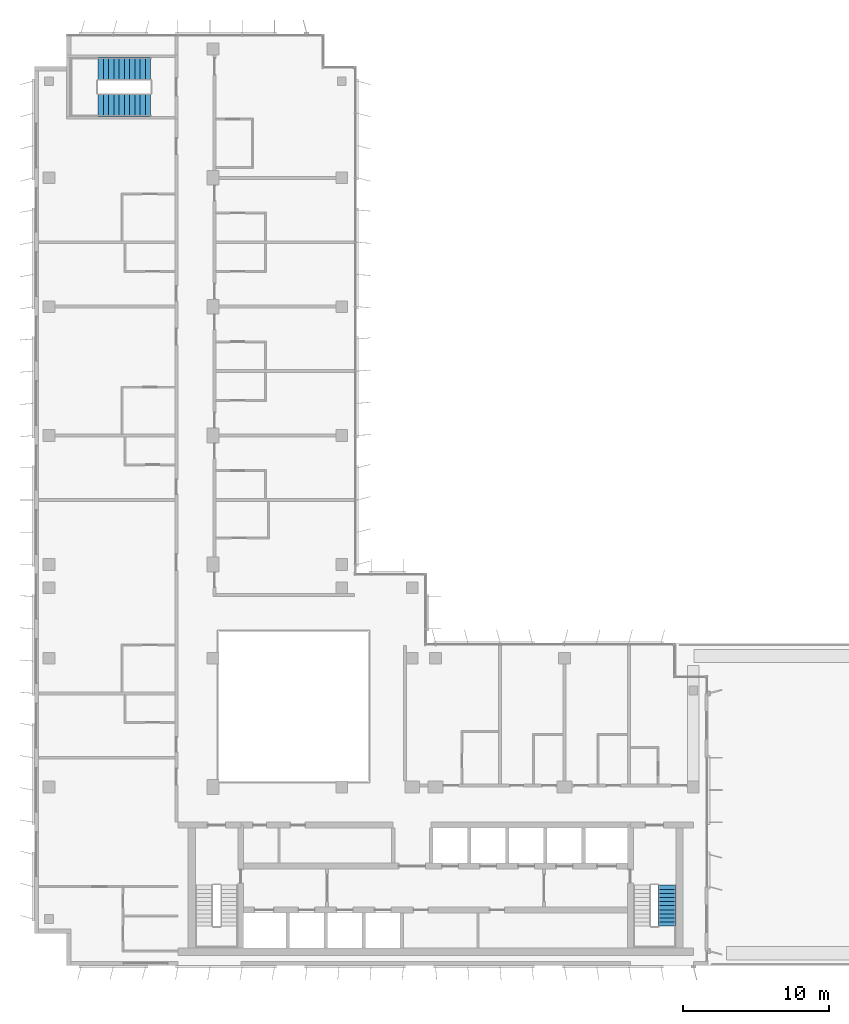
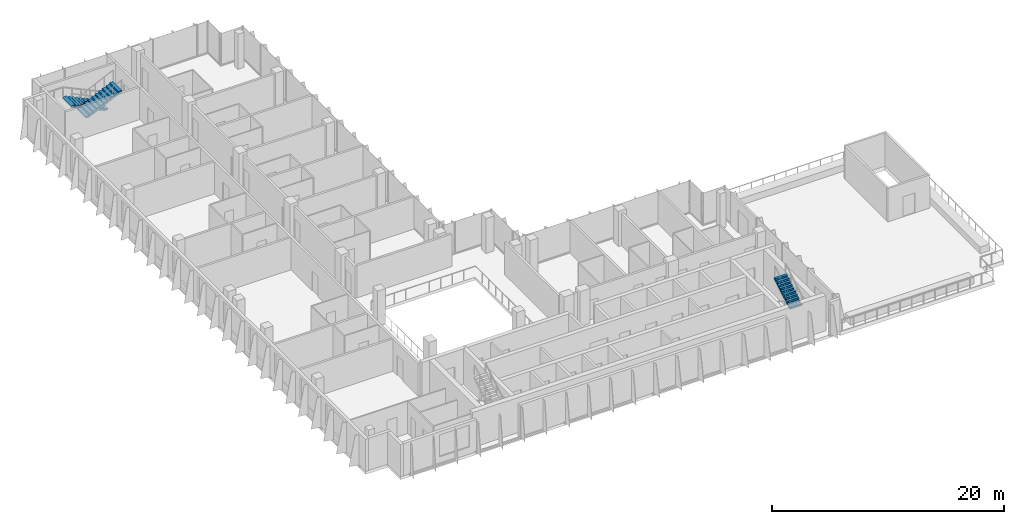
# One storey, part 14 of 17: 3 stair flights, 2 elements without a shape of their own.
"""IFC4 building model written with IfcOpenShell, lengths in metres."""

from ifc_helpers import new_model, si_unit, direction, frame, origin, place, context, subcontext, project, spatial, polyline, outline, extrude, material, type_object, element, aggregate, save


model = new_model("IFC4")

# Units and contexts
model_context = context("Model", 3, precision=1e-05, world=origin(), true_north=direction((0.0, 1.0)))
body_context = subcontext(model_context, "Body", "Model", "MODEL_VIEW")
ifc_project = project(units=[si_unit("LENGTHUNIT", "METRE"), si_unit("AREAUNIT", "SQUARE_METRE"), si_unit("VOLUMEUNIT", "CUBIC_METRE"), si_unit("PLANEANGLEUNIT", "RADIAN"), si_unit("MASSUNIT", "GRAM", prefix="KILO")], contexts=[model_context])

# Site, building, storey
site_placement = place(None, origin())
site = spatial("IfcSite", under=ifc_project, at=site_placement, CompositionType="ELEMENT")
building_placement = place(site_placement, origin())
building = spatial("IfcBuilding", under=site, at=building_placement, Name="Kemantara Hotel Tower", CompositionType="ELEMENT")
storey_placement = place(building_placement, frame((0.0, 0.0, 222.800048828125)))
storey = spatial("IfcBuildingStorey", under=building, at=storey_placement, Name="L55", CompositionType="ELEMENT", Elevation=222.800048828125)

# Stair, stair flight
ifc_material = material(Name="Concrete fc 40 MPa", Category="concrete")
stair_type_1 = type_object("IfcStairType", Name="Stair 1200 wide 22 risers of 168 x 280 mm", PredefinedType="HALF_TURN_STAIR", material=ifc_material)
stair_1_placement = place(storey_placement, origin())
stair_1 = element("IfcStair", 1, at=stair_1_placement, inside=storey, type_object=stair_type_1, Name="L55 Exit stair ST2", PredefinedType="HALF_TURN_STAIR")
stair_flight_type_1 = type_object("IfcStairFlightType", Name="Stair flight 1200 wide 168 x 280 mm", PredefinedType="STRAIGHT", material=ifc_material)
stair_flight_1_placement = place(storey_placement, frame((43.199951171875, 2.699951171875, 1.849853515625), z_axis=(0.0, 0.0, 1.0), x_axis=(0.0, 1.0, 0.0)))
stair_flight_1 = element("IfcStairFlight", 2, at=stair_flight_1_placement, type_object=stair_flight_type_1, Name="ST2 flight 2", NumberOfRisers=11, NumberOfTreads=10, PredefinedType="STRAIGHT", RiserHeight=0.168181818, TreadLength=0.28, context=body_context, shape_type="SweptSolid", body=[
    extrude(outline(polyline([(0.0, 0.0), (0.0, 0.168212890625), (0.280029296875, 0.168212890625), (0.280029296875, 0.33642578125), (0.56005859375, 0.33642578125), (0.56005859375, 0.504638671875), (0.840087890625, 0.504638671875), (0.840087890625, 0.672607421875), (1.1201171875, 0.672607421875), (1.1201171875, 0.8408203125), (1.39990234375, 0.8408203125), (1.39990234375, 1.009033203125), (1.679931640625, 1.009033203125), (1.679931640625, 1.17724609375), (1.9599609375, 1.17724609375), (1.9599609375, 1.345458984375), (2.239990234375, 1.345458984375), (2.239990234375, 1.513671875), (2.52001953125, 1.513671875), (2.52001953125, 1.681884765625), (2.800048828125, 1.681884765625), (2.800048828125, 1.85009765625), (2.800048828125, 1.5068359375), (0.291015625, 0.0), (0.0, 0.0)])), frame((0.0, 0.60009765625, 0.0), z_axis=(0.0, -1.0, 0.0), x_axis=(1.0, 0.0, 0.0)), (0.0, 0.0, 1.0), 1.199951171875),
])
aggregate(stair_1, [stair_flight_1])

# Stair, stair flights
stair_type_2 = type_object("IfcStairType", Name="Stair 1550 wide 22 risers of 168 x 360 mm", PredefinedType="HALF_TURN_STAIR", material=ifc_material)
stair_2_placement = place(storey_placement, origin())
stair_2 = element("IfcStair", 3, at=stair_2_placement, inside=storey, type_object=stair_type_2, Name="L55 Exit stair ST4", PredefinedType="HALF_TURN_STAIR")
stair_flight_type_2 = type_object("IfcStairFlightType", Name="Stair flight 1550 wide 168 x 360 mm", PredefinedType="STRAIGHT", material=ifc_material)
stair_flight_2_placement = place(storey_placement, frame((7.949951171875, 61.22509765625, 0.0), z_axis=(0.0, 0.0, 1.0), x_axis=(-1.0, 0.0, 0.0)))
stair_flight_2 = element("IfcStairFlight", 4, at=stair_flight_2_placement, type_object=stair_flight_type_2, Name="ST4 flight 1", NumberOfRisers=11, NumberOfTreads=10, PredefinedType="STRAIGHT", RiserHeight=0.168181818, TreadLength=0.36, context=body_context, shape_type="SweptSolid", body=[
    extrude(outline(polyline([(0.0, 0.0), (0.0, 0.168212890625), (0.360107421875, 0.168212890625), (0.360107421875, 0.33642578125), (0.719970703125, 0.33642578125), (0.719970703125, 0.504638671875), (1.080078125, 0.504638671875), (1.080078125, 0.672607421875), (1.43994140625, 0.672607421875), (1.43994140625, 0.8408203125), (1.800048828125, 0.8408203125), (1.800048828125, 1.009033203125), (2.159912109375, 1.009033203125), (2.159912109375, 1.17724609375), (2.52001953125, 1.17724609375), (2.52001953125, 1.345458984375), (2.8798828125, 1.345458984375), (2.8798828125, 1.513671875), (3.239990234375, 1.513671875), (3.239990234375, 1.681884765625), (3.60009765625, 1.681884765625), (3.60009765625, 1.85009765625), (3.60009765625, 1.516357421875), (0.354248046875, 0.0), (0.0, 0.0)])), frame((0.0, 0.77490234375, 0.0), z_axis=(0.0, -1.0, 0.0), x_axis=(1.0, 0.0, 0.0)), (0.0, 0.0, 1.0), 1.550048828125),
])
stair_flight_3_placement = place(storey_placement, frame((4.35009765625, 58.77490234375, 1.849853515625), z_axis=(0.0, 0.0, 1.0), x_axis=(1.0, 0.0, 0.0)))
stair_flight_3 = element("IfcStairFlight", 5, at=stair_flight_3_placement, type_object=stair_flight_type_2, Name="ST4 flight 2", NumberOfRisers=11, NumberOfTreads=10, PredefinedType="STRAIGHT", RiserHeight=0.168181818, TreadLength=0.36, context=body_context, shape_type="SweptSolid", body=[
    extrude(outline(polyline([(0.0, 0.0), (0.0, 0.168212890625), (0.360107421875, 0.168212890625), (0.360107421875, 0.33642578125), (0.719970703125, 0.33642578125), (0.719970703125, 0.504638671875), (1.080078125, 0.504638671875), (1.080078125, 0.672607421875), (1.43994140625, 0.672607421875), (1.43994140625, 0.8408203125), (1.800048828125, 0.8408203125), (1.800048828125, 1.009033203125), (2.159912109375, 1.009033203125), (2.159912109375, 1.17724609375), (2.52001953125, 1.17724609375), (2.52001953125, 1.345458984375), (2.8798828125, 1.345458984375), (2.8798828125, 1.513671875), (3.239990234375, 1.513671875), (3.239990234375, 1.681884765625), (3.60009765625, 1.681884765625), (3.60009765625, 1.85009765625), (3.60009765625, 1.516357421875), (0.354248046875, 0.0), (0.0, 0.0)])), frame((0.0, 0.77490234375, 0.0), z_axis=(0.0, -1.0, 0.0), x_axis=(1.0, 0.0, 0.0)), (0.0, 0.0, 1.0), 1.550048828125),
])
aggregate(stair_2, [stair_flight_2, stair_flight_3])

save(model, "model.ifc")
